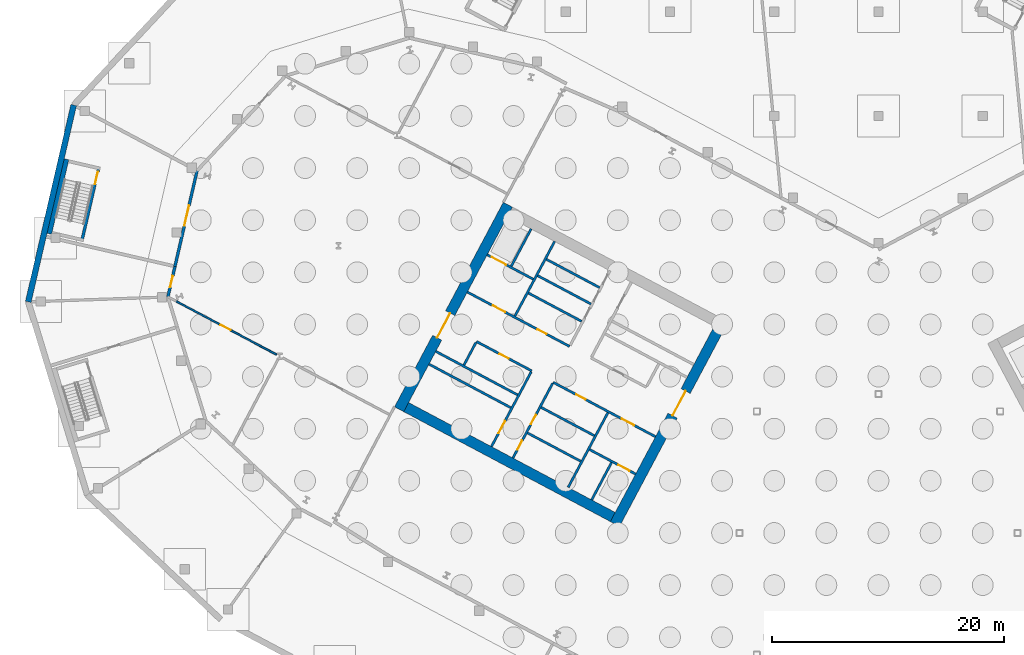
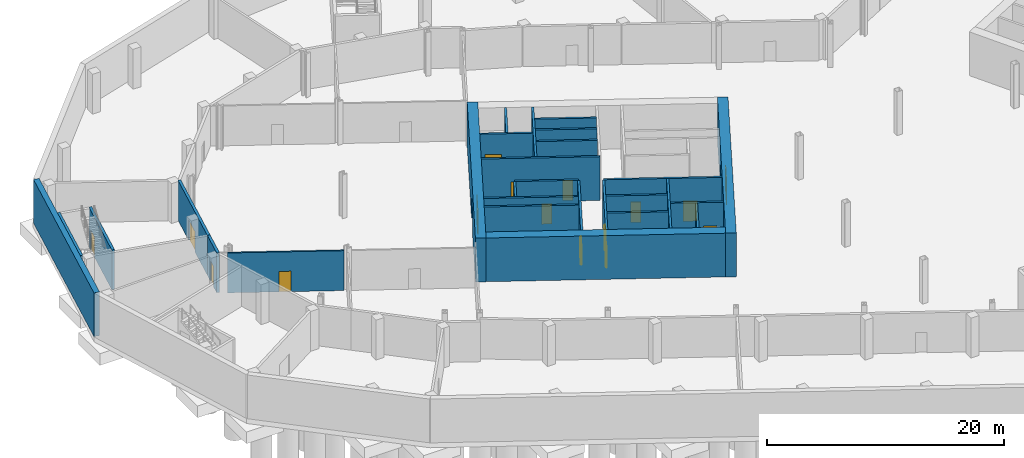
# One storey, part 10 of 29: 28 walls, 16 doors, 16 openings.
"""IFC4 building model written with IfcOpenShell, lengths in metres."""

import ifcopenshell
import ifcopenshell.guid

model = None  # the IFC model being written
_history = None  # IfcOwnerHistory: only IFC2X3 demands one
_inside = {}  # id of a spatial element -> (the spatial element, [elements in it])
_under = {}  # id of a project, library or spatial element -> (it, [spatial elements below it])
_declared = {}  # id of a project -> (the project, [libraries it declares])
_typed = {}  # id of a type object -> (the type object, [elements of that type])
_made_of = {}  # id of a material, layer set ... -> (it, [elements and type objects made of it])


def new_model(schema):
    """Start an empty IFC model of exactly this schema.

    Asked for "IFC4X3", IfcOpenShell would pick the latest addendum, in which some entities
    have other attributes; the version numbers below select the first issue.
    IFC2X3 requires an IfcOwnerHistory on every rooted entity: one is made here for all.
    """
    global model, _history
    if schema == "IFC4X3":
        model = ifcopenshell.file(schema_version=(4, 3, 0, 0))
    else:
        model = ifcopenshell.file(schema=schema)
    _inside.clear()
    _under.clear()
    _declared.clear()
    _typed.clear()
    _made_of.clear()
    _history = None
    if model.schema == "IFC2X3":
        org = make("IfcOrganization", Name="unknown")
        user = make(
            "IfcPersonAndOrganization",
            ThePerson=make("IfcPerson", FamilyName="unknown"),
            TheOrganization=org,
        )
        app = make(
            "IfcApplication",
            ApplicationDeveloper=org,
            Version="unknown",
            ApplicationFullName="unknown",
            ApplicationIdentifier="unknown",
        )
        _history = make(
            "IfcOwnerHistory",
            OwningUser=user,
            OwningApplication=app,
            ChangeAction="ADDED",
            CreationDate=0,
        )
    return model


def make(cls, **values):
    """One entity of the class cls with the attributes given. An attribute that is None is left unset."""
    return model.create_entity(
        cls, **{name: value for name, value in values.items() if value is not None}
    )


def rooted(cls, **values):
    """An entity with a GlobalId (a new one), such as an element, a storey or a relation."""
    return make(cls, GlobalId=ifcopenshell.guid.new(), OwnerHistory=_history, **values)


def si_unit(unit_type, name, prefix=None):
    """IfcSIUnit, for example si_unit("LENGTHUNIT", "METRE", prefix="MILLI")."""
    return make("IfcSIUnit", UnitType=unit_type, Prefix=prefix, Name=name)


def assignment(units):
    """IfcUnitAssignment: the units of a project."""
    return None if units is None else make("IfcUnitAssignment", Units=units)


def point(xyz):
    """IfcCartesianPoint."""
    return None if xyz is None else make("IfcCartesianPoint", Coordinates=xyz)


def direction(xyz):
    """IfcDirection."""
    return None if xyz is None else make("IfcDirection", DirectionRatios=xyz)


def frame(location, z_axis=None, x_axis=None):
    """IfcAxis2Placement3D, a coordinate frame: its origin and axes. An axis left out is left unset."""
    return make(
        "IfcAxis2Placement3D",
        Location=point(location),
        Axis=direction(z_axis),
        RefDirection=direction(x_axis),
    )


def frame_2d(location, x_axis=None):
    """IfcAxis2Placement2D, a coordinate frame in the plane: its origin and x axis."""
    return make(
        "IfcAxis2Placement2D", Location=point(location), RefDirection=direction(x_axis)
    )


def origin():
    """The frame at (0, 0, 0) with its axes left unset."""
    return frame((0.0, 0.0, 0.0))


def place(relative_to, where):
    """IfcLocalPlacement: puts the frame where relative to a parent placement (None: the world)."""
    return make(
        "IfcLocalPlacement", PlacementRelTo=relative_to, RelativePlacement=where
    )


def context(
    kind, dimensions, precision=None, world=None, true_north=None, identifier=None
):
    """IfcGeometricRepresentationContext, for example the 3D "Model" context."""
    return make(
        "IfcGeometricRepresentationContext",
        ContextIdentifier=identifier,
        ContextType=kind,
        CoordinateSpaceDimension=dimensions,
        Precision=precision,
        WorldCoordinateSystem=world,
        TrueNorth=true_north,
    )


def subcontext(parent, identifier, kind, view, scale=None):
    """IfcGeometricRepresentationSubContext, for example "Body" below "Model"."""
    return make(
        "IfcGeometricRepresentationSubContext",
        ContextIdentifier=identifier,
        ContextType=kind,
        ParentContext=parent,
        TargetScale=scale,
        TargetView=view,
    )


def project(units=None, contexts=None):
    """IfcProject with its units and contexts."""
    return rooted(
        "IfcProject",
        Name="project",
        RepresentationContexts=contexts,
        UnitsInContext=assignment(units),
    )


def spatial(cls, under=None, at=None, **own):
    """A site, building, storey or space (cls), placed at a placement, below another one or the project."""
    s = rooted(cls, ObjectPlacement=at, **own)
    if under is not None:
        _under.setdefault(under.id(), (under, []))[1].append(s)
    return s


def profile(cls, at=None, kind="AREA", **sizes):
    """A parametric profile (cls). Its sizes go by their IFC names, for example OverallWidth=200.0."""
    return make(cls, ProfileType=kind, Position=at, **sizes)


def rectangle(**sizes):
    """IfcRectangleProfileDef."""
    return profile("IfcRectangleProfileDef", **sizes)


def extrude(swept, where, along, depth):
    """IfcExtrudedAreaSolid: the profile swept, set in the frame where, extruded along a direction by depth."""
    return make(
        "IfcExtrudedAreaSolid",
        SweptArea=swept,
        Position=where,
        ExtrudedDirection=direction(along),
        Depth=depth,
    )


def shape(context_of_items, identifier, shape_type, items):
    """IfcShapeRepresentation: the items that make up one representation, for example the "Body"."""
    return make(
        "IfcShapeRepresentation",
        ContextOfItems=context_of_items,
        RepresentationIdentifier=identifier,
        RepresentationType=shape_type,
        Items=items,
    )


def material(Name=None, Category=None):
    """IfcMaterial."""
    return make("IfcMaterial", Name=Name, Category=Category)


def layer(
    of_material, thickness, ventilated=None, Name=None, Category=None, Priority=None
):
    """IfcMaterialLayer: one layer of a wall or slab, of a material (None: an air gap)."""
    return make(
        "IfcMaterialLayer",
        Material=of_material,
        LayerThickness=thickness,
        IsVentilated=ventilated,
        Name=Name,
        Category=Category,
        Priority=Priority,
    )


def layer_set(layers, Name=None):
    """IfcMaterialLayerSet."""
    return make("IfcMaterialLayerSet", MaterialLayers=layers, LayerSetName=Name)


def made_of(thing, what):
    """Note that an element or type object is made of a material, layer set ...; save() writes the relation."""
    if what is not None:
        _made_of.setdefault(what.id(), (what, []))[1].append(thing)
    return thing


def type_object(cls, material=None, **own):
    """A type object (cls), such as IfcWallType, which elements share."""
    return made_of(rooted(cls, **own), material)


def element(
    cls,
    number,
    at=None,
    inside=None,
    cuts=None,
    type_object=None,
    material=None,
    context=None,
    identifier="Body",
    shape_type=None,
    held_by="IfcProductDefinitionShape",
    body=None,
    shapes=None,
    **own,
):
    """One element of the class cls, such as IfcWall. Its Tag is "e" and its number.

    at: its placement. inside: the storey or other place that contains it. cuts: it is an
    opening in that element (IfcRelVoidsElement). A single representation is given by context,
    identifier, shape_type and body (its items); several are given by shapes. held_by: the class
    of the entity that holds the representations. save() writes the other relations.
    """
    e = rooted(cls, Tag="e%d" % number, ObjectPlacement=at, **own)
    if body is not None:
        shapes = [shape(context, identifier, shape_type, body)]
    if shapes is not None:
        e.Representation = make(held_by, Representations=shapes)
    if inside is not None:
        _inside.setdefault(inside.id(), (inside, []))[1].append(e)
    if cuts is not None:
        rooted(
            "IfcRelVoidsElement", RelatingBuildingElement=cuts, RelatedOpeningElement=e
        )
    if type_object is not None:
        _typed.setdefault(type_object.id(), (type_object, []))[1].append(e)
    return made_of(e, material)


def fill(opening, filler):
    """IfcRelFillsElement: the door or window that sits in an opening."""
    return rooted(
        "IfcRelFillsElement",
        RelatingOpeningElement=opening,
        RelatedBuildingElement=filler,
    )


def aggregate(whole, parts):
    """IfcRelAggregates: a whole, such as a stair, and the parts it consists of."""
    return rooted("IfcRelAggregates", RelatingObject=whole, RelatedObjects=parts)


def save(model, path):
    """Write the relations noted so far, then the file.

    IfcRelAggregates (storeys below a building ...), IfcRelContainedInSpatialStructure (elements
    in a storey), IfcRelDefinesByType, IfcRelAssociatesMaterial and IfcRelDeclares: one each for
    every whole, place, type object, material and project.
    """
    for whole, parts in _under.values():
        aggregate(whole, parts)
    for where, things in _inside.values():
        rooted(
            "IfcRelContainedInSpatialStructure",
            RelatedElements=things,
            RelatingStructure=where,
        )
    for kind, things in _typed.values():
        rooted("IfcRelDefinesByType", RelatedObjects=things, RelatingType=kind)
    for what, things in _made_of.values():
        rooted("IfcRelAssociatesMaterial", RelatedObjects=things, RelatingMaterial=what)
    for by, libraries in _declared.values():
        rooted("IfcRelDeclares", RelatingContext=by, RelatedDefinitions=libraries)
    model.write(path)


model = new_model("IFC4")

# Units and contexts
model_context = context("Model", 3, precision=1e-05, world=origin(), true_north=direction((0.0, 1.0)))
body_context = subcontext(model_context, "Body", "Model", "MODEL_VIEW")
ifc_project = project(units=[si_unit("LENGTHUNIT", "METRE"), si_unit("AREAUNIT", "SQUARE_METRE"), si_unit("VOLUMEUNIT", "CUBIC_METRE"), si_unit("PLANEANGLEUNIT", "RADIAN"), si_unit("MASSUNIT", "GRAM", prefix="KILO")], contexts=[model_context])

# Site, building, storey
site_placement = place(None, origin())
site = spatial("IfcSite", under=ifc_project, at=site_placement, CompositionType="ELEMENT")
building_placement = place(site_placement, origin())
building = spatial("IfcBuilding", under=site, at=building_placement, Name="Cormorant Relay Tower", CompositionType="ELEMENT")
storey_placement = place(building_placement, frame((0.0, 0.0, -9.0)))
storey = spatial("IfcBuildingStorey", under=building, at=storey_placement, Name="B2", CompositionType="ELEMENT", Elevation=-9.0)

# Walls
ifc_material_1 = material(Name="Concrete 40 MPa", Category="concrete")
ifc_layer_1 = layer(ifc_material_1, 0.199951171875)
ifc_layer_set_1 = layer_set([ifc_layer_1], Name="Core internal wall 200")
wall_type_1 = type_object("IfcWallType", Name="Core internal wall 200", PredefinedType="SOLIDWALL", material=ifc_layer_set_1)
for number, where, z_axis, x_axis, name in (
    (1, (-24.073974609375, 21.181396484375, 0.0), (0.0, 0.0, 1.0), (-0.882953967957, 0.469459572775, 0.0), "B2 core A shaft and room wall"),
    (2, (-24.824951171875, 19.7685546875, 0.0), (0.0, 0.0, 1.0), (-0.882934506056, 0.469496174655, 0.0), "B2 core A shaft and room wall"),
    (3, (-25.701904296875, 6.19091796875, 0.0), (0.0, 0.0, 1.0), (-0.882934506056, 0.469496174655, 0.0), "B2 core A shaft and room wall"),
):
    element("IfcWall", number, at=place(storey_placement, frame(where, z_axis=z_axis, x_axis=x_axis)), inside=storey, type_object=wall_type_1, Name=name, PredefinedType="SOLIDWALL", context=body_context, shape_type="SweptSolid", body=[
        extrude(rectangle(XDim=5.199951171875, YDim=0.199951171875, at=frame_2d((2.60009765625, 0.0))), origin(), (0.0, 0.0, 1.0), 4.5),
    ])
ifc_material_2 = material(Name="Concrete 50 MPa", Category="concrete")
ifc_layer_2 = layer(ifc_material_2, 0.199951171875)
ifc_layer_set_2 = layer_set([ifc_layer_2], Name="Core shaft wall 200")
wall_type_2 = type_object("IfcWallType", Name="Core shaft wall 200", PredefinedType="SHEAR", material=ifc_layer_set_2)
wall_1_placement = place(storey_placement, frame((-23.04296875, 6.07958984375, 0.0), z_axis=(0.0, 0.0, 1.0), x_axis=(-0.469494272526, -0.882935517501, 0.0)))
element("IfcWall", 4, at=wall_1_placement, inside=storey, type_object=wall_type_2, Name="B2 core A shaft wall", PredefinedType="SHEAR", context=body_context, shape_type="SweptSolid", body=[
    extrude(rectangle(XDim=3.64990234375, YDim=0.199951171875, at=frame_2d((1.824951171875, 0.0))), origin(), (0.0, 0.0, 1.0), 4.5),
])
wall_2_placement = place(storey_placement, frame((-23.360107421875, 10.38232421875, 0.0), z_axis=(0.0, 0.0, 1.0), x_axis=(-0.469480409012, -0.88294288918, 0.0)))
element("IfcWall", 5, at=wall_2_placement, inside=storey, type_object=wall_type_2, Name="B2 core A shaft wall", PredefinedType="SHEAR", context=body_context, shape_type="SweptSolid", body=[
    extrude(rectangle(XDim=7.300048828125, YDim=0.199951171875, at=frame_2d((3.64990234375, 0.0))), origin(), (0.0, 0.0, 1.0), 4.5),
])

# Wall, openings, doors
wall_3_placement = place(storey_placement, frame((-28.128173828125, 12.91748046875, 0.0), z_axis=(0.0, 0.0, 1.0), x_axis=(-0.469454336211, -0.882956752176, 0.0)))
wall_3 = element("IfcWall", 6, at=wall_3_placement, inside=storey, type_object=wall_type_2, Name="B2 core A shaft wall", PredefinedType="SHEAR", context=body_context, shape_type="SweptSolid", body=[
    extrude(rectangle(XDim=7.300048828125, YDim=0.199951171875, at=frame_2d((3.64990234375, 0.0))), origin(), (0.0, 0.0, 1.0), 4.5),
])
opening_1_placement = place(wall_3_placement, frame((3.10009765625, 0.0, 0.0)))
opening_1 = element("IfcOpeningElement", 7, at=opening_1_placement, cuts=wall_3, Name="Opening CDD-005", PredefinedType="OPENING", context=body_context, shape_type="SweptSolid", body=[
    extrude(rectangle(XDim=0.89990234375, YDim=2.10009765625, at=frame_2d((0.449951171875, 1.050048828125))), frame((0.0, 0.10986328125, 0.0), z_axis=(0.0, -1.0, 0.0), x_axis=(1.0, 0.0, 0.0)), (0.0, 0.0, 1.0), 0.219970703125),
])
opening_2_placement = place(wall_3_placement, frame((5.60009765625, 0.0, 0.0)))
opening_2 = element("IfcOpeningElement", 8, at=opening_2_placement, cuts=wall_3, Name="Opening CDD-006", PredefinedType="OPENING", context=body_context, shape_type="SweptSolid", body=[
    extrude(rectangle(XDim=0.89990234375, YDim=2.10009765625, at=frame_2d((0.449951171875, 1.050048828125))), frame((0.0, 0.10986328125, 0.0), z_axis=(0.0, -1.0, 0.0), x_axis=(1.0, 0.0, 0.0)), (0.0, 0.0, 1.0), 0.219970703125),
])
ifc_material_3 = material(Name="Steel fire door", Category="steel")
door_type_1 = type_object("IfcDoorType", Name="Core room door 900x2100", OperationType="SINGLE_SWING_LEFT", PredefinedType="DOOR", material=ifc_material_3)
door_1_placement = place(opening_1_placement, origin())
door_1 = element("IfcDoor", 9, at=door_1_placement, inside=storey, type_object=door_type_1, Name="Core room door 900x2100", OperationType="SINGLE_SWING_LEFT", OverallHeight=2.10009765625, OverallWidth=0.89990234375, PredefinedType="DOOR", context=body_context, shape_type="SweptSolid", body=[
    extrude(rectangle(XDim=0.89990234375, YDim=2.10009765625, at=frame_2d((0.449951171875, 1.050048828125))), frame((0.0, 0.02490234375, 0.0), z_axis=(0.0, -1.0, 0.0), x_axis=(1.0, 0.0, 0.0)), (0.0, 0.0, 1.0), 0.050048828125),
])
fill(opening_1, door_1)
door_2_placement = place(opening_2_placement, origin())
door_2 = element("IfcDoor", 10, at=door_2_placement, inside=storey, type_object=door_type_1, Name="Core room door 900x2100", OperationType="SINGLE_SWING_LEFT", OverallHeight=2.10009765625, OverallWidth=0.89990234375, PredefinedType="DOOR", context=body_context, shape_type="SweptSolid", body=[
    extrude(rectangle(XDim=0.89990234375, YDim=2.10009765625, at=frame_2d((0.449951171875, 1.050048828125))), frame((0.0, 0.02490234375, 0.0), z_axis=(0.0, -1.0, 0.0), x_axis=(1.0, 0.0, 0.0)), (0.0, 0.0, 1.0), 0.050048828125),
])
fill(opening_2, door_2)

# Wall, opening, door
wall_4_placement = place(storey_placement, frame((-29.982421875, 13.9033203125, 0.0), z_axis=(0.0, 0.0, 1.0), x_axis=(-0.469454336211, -0.882956752176, 0.0)))
wall_4 = element("IfcWall", 11, at=wall_4_placement, inside=storey, type_object=wall_type_2, Name="B2 core A shaft wall", PredefinedType="SHEAR", context=body_context, shape_type="SweptSolid", body=[
    extrude(rectangle(XDim=7.300048828125, YDim=0.199951171875, at=frame_2d((3.64990234375, 0.0))), origin(), (0.0, 0.0, 1.0), 4.5),
])
opening_3_placement = place(wall_4_placement, frame((4.800048828125, 0.0, 0.0)))
opening_3 = element("IfcOpeningElement", 12, at=opening_3_placement, cuts=wall_4, Name="Opening CDB-002", PredefinedType="OPENING", context=body_context, shape_type="SweptSolid", body=[
    extrude(rectangle(XDim=1.199951171875, YDim=2.10009765625, at=frame_2d((0.60009765625, 1.050048828125))), frame((0.0, 0.10986328125, 0.0), z_axis=(0.0, -1.0, 0.0), x_axis=(1.0, 0.0, 0.0)), (0.0, 0.0, 1.0), 0.219970703125),
])
ifc_material_4 = material(Name="Steel fire door", Category="steel")
door_type_2 = type_object("IfcDoorType", Name="Core stair door 1200x2100", OperationType="SINGLE_SWING_LEFT", PredefinedType="DOOR", material=ifc_material_4)
door_3_placement = place(opening_3_placement, frame((1.199951171875, 0.0, 0.0), z_axis=(0.0, 0.0, 1.0), x_axis=(-1.0, 0.0, 0.0)))
door_3 = element("IfcDoor", 13, at=door_3_placement, inside=storey, type_object=door_type_2, Name="Core stair door 1200x2100", OperationType="SINGLE_SWING_RIGHT", OverallHeight=2.10009765625, OverallWidth=1.199951171875, PredefinedType="DOOR", context=body_context, shape_type="SweptSolid", body=[
    extrude(rectangle(XDim=1.199951171875, YDim=2.10009765625, at=frame_2d((0.60009765625, 1.050048828125))), frame((0.0, 0.02490234375, 0.0), z_axis=(0.0, -1.0, 0.0), x_axis=(1.0, 0.0, 0.0)), (0.0, 0.0, 1.0), 0.050048828125),
])
fill(opening_3, door_3)

# Walls
wall_5_placement = place(storey_placement, frame((-27.955322265625, 25.170654296875, 0.0), z_axis=(0.0, 0.0, 1.0), x_axis=(-0.469480409012, -0.88294288918, 0.0)))
element("IfcWall", 14, at=wall_5_placement, inside=storey, type_object=wall_type_2, Name="B2 core A shaft wall", PredefinedType="SHEAR", context=body_context, shape_type="SweptSolid", body=[
    extrude(rectangle(XDim=7.300048828125, YDim=0.199951171875, at=frame_2d((3.64990234375, 0.0))), origin(), (0.0, 0.0, 1.0), 4.5),
])
wall_6_placement = place(storey_placement, frame((-34.750244140625, 16.4384765625, 0.0), z_axis=(0.0, 0.0, 1.0), x_axis=(-0.469401318492, -0.882984938828, 0.0)))
element("IfcWall", 15, at=wall_6_placement, inside=storey, type_object=wall_type_2, Name="B2 core A shaft wall", PredefinedType="SHEAR", context=body_context, shape_type="SweptSolid", body=[
    extrude(rectangle(XDim=2.199951171875, YDim=0.199951171875, at=frame_2d((1.10009765625, 0.0))), origin(), (0.0, 0.0, 1.0), 4.5),
])
wall_7_placement = place(storey_placement, frame((-29.986083984375, 26.250244140625, 0.0), z_axis=(0.0, 0.0, 1.0), x_axis=(-0.469494272526, -0.882935517501, 0.0)))
element("IfcWall", 16, at=wall_7_placement, inside=storey, type_object=wall_type_2, Name="B2 core A shaft wall", PredefinedType="SHEAR", context=body_context, shape_type="SweptSolid", body=[
    extrude(rectangle(XDim=3.64990234375, YDim=0.199951171875, at=frame_2d((1.824951171875, 0.0))), origin(), (0.0, 0.0, 1.0), 4.5),
])

# Wall, opening, door
wall_8_placement = place(storey_placement, frame((-29.80419921875, 21.906494140625, 0.0), z_axis=(0.0, 0.0, 1.0), x_axis=(-0.882960433586, 0.469447412093, 0.0)))
wall_8 = element("IfcWall", 17, at=wall_8_placement, inside=storey, type_object=wall_type_2, Name="B2 core A shaft wall", PredefinedType="SHEAR", context=body_context, shape_type="SweptSolid", body=[
    extrude(rectangle(XDim=4.5, YDim=0.199951171875, at=frame_2d((2.25, 0.0))), origin(), (0.0, 0.0, 1.0), 4.5),
])
opening_4_placement = place(wall_8_placement, frame((2.64990234375, 0.0, 0.0)))
opening_4 = element("IfcOpeningElement", 18, at=opening_4_placement, cuts=wall_8, Name="Opening LD3-001", PredefinedType="OPENING", context=body_context, shape_type="SweptSolid", body=[
    extrude(rectangle(XDim=1.39990234375, YDim=2.39990234375, at=frame_2d((0.699951171875, 1.199951171875))), frame((0.0, 0.10986328125, 0.0), z_axis=(0.0, -1.0, 0.0), x_axis=(1.0, 0.0, 0.0)), (0.0, 0.0, 1.0), 0.219970703125),
])
ifc_material_5 = material(Name="Stainless steel 316", Category="steel")
door_type_3 = type_object("IfcDoorType", Name="Lift landing door 1400x2400", OperationType="DOUBLE_DOOR_SLIDING", PredefinedType="DOOR", material=ifc_material_5)
door_4_placement = place(opening_4_placement, origin())
door_4 = element("IfcDoor", 19, at=door_4_placement, inside=storey, type_object=door_type_3, Name="SV1 landing door", OperationType="DOUBLE_DOOR_SLIDING", OverallHeight=2.39990234375, OverallWidth=1.39990234375, PredefinedType="DOOR", context=body_context, shape_type="SweptSolid", body=[
    extrude(rectangle(XDim=1.39990234375, YDim=2.39990234375, at=frame_2d((0.699951171875, 1.199951171875))), frame((0.0, 0.02490234375, 0.0), z_axis=(0.0, -1.0, 0.0), x_axis=(1.0, 0.0, 0.0)), (0.0, 0.0, 1.0), 0.050048828125),
])
fill(opening_4, door_4)

# Wall
wall_9_placement = place(storey_placement, frame((-25.623046875, 18.267578125, 0.0), z_axis=(0.0, 0.0, 1.0), x_axis=(-0.882953967957, 0.469459572775, 0.0)))
element("IfcWall", 20, at=wall_9_placement, inside=storey, type_object=wall_type_2, Name="B2 core A shaft wall", PredefinedType="SHEAR", context=body_context, shape_type="SweptSolid", body=[
    extrude(rectangle(XDim=5.199951171875, YDim=0.199951171875, at=frame_2d((2.60009765625, 0.0))), origin(), (0.0, 0.0, 1.0), 4.5),
])

# Wall, openings, doors
wall_10_placement = place(storey_placement, frame((-26.66162109375, 16.1015625, 0.0), z_axis=(0.0, 0.0, 1.0), x_axis=(-0.882940221191, 0.469485426614, 0.0)))
wall_10 = element("IfcWall", 21, at=wall_10_placement, inside=storey, type_object=wall_type_2, Name="B2 core A shaft wall", PredefinedType="SHEAR", context=body_context, shape_type="SweptSolid", body=[
    extrude(rectangle(XDim=10.0, YDim=0.199951171875, at=frame_2d((5.0, 0.0))), origin(), (0.0, 0.0, 1.0), 4.5),
])
opening_5_placement = place(wall_10_placement, frame((6.300048828125, 0.0, 0.0)))
opening_5 = element("IfcOpeningElement", 22, at=opening_5_placement, cuts=wall_10, Name="Opening CDC-002", PredefinedType="OPENING", context=body_context, shape_type="SweptSolid", body=[
    extrude(rectangle(XDim=1.199951171875, YDim=2.10009765625, at=frame_2d((0.60009765625, 1.050048828125))), frame((0.0, 0.10986328125, 0.0), z_axis=(0.0, -1.0, 0.0), x_axis=(1.0, 0.0, 0.0)), (0.0, 0.0, 1.0), 0.219970703125),
])
opening_6_placement = place(wall_10_placement, frame((2.25, 0.0, 0.0)))
opening_6 = element("IfcOpeningElement", 23, at=opening_6_placement, cuts=wall_10, Name="Opening CDD-004", PredefinedType="OPENING", context=body_context, shape_type="SweptSolid", body=[
    extrude(rectangle(XDim=0.89990234375, YDim=2.10009765625, at=frame_2d((0.449951171875, 1.050048828125))), frame((0.0, 0.10986328125, 0.0), z_axis=(0.0, -1.0, 0.0), x_axis=(1.0, 0.0, 0.0)), (0.0, 0.0, 1.0), 0.219970703125),
])
ifc_material_6 = material(Name="Steel fire door", Category="steel")
door_type_4 = type_object("IfcDoorType", Name="Core lobby door 1200x2100", OperationType="SINGLE_SWING_LEFT", PredefinedType="DOOR", material=ifc_material_6)
door_5_placement = place(opening_5_placement, frame((1.199951171875, 0.0, 0.0), z_axis=(0.0, 0.0, 1.0), x_axis=(-1.0, 0.0, 0.0)))
door_5 = element("IfcDoor", 24, at=door_5_placement, inside=storey, type_object=door_type_4, Name="Core lobby door 1200x2100", OperationType="SINGLE_SWING_RIGHT", OverallHeight=2.10009765625, OverallWidth=1.199951171875, PredefinedType="DOOR", context=body_context, shape_type="SweptSolid", body=[
    extrude(rectangle(XDim=1.199951171875, YDim=2.10009765625, at=frame_2d((0.60009765625, 1.050048828125))), frame((0.0, 0.02490234375, 0.0), z_axis=(0.0, -1.0, 0.0), x_axis=(1.0, 0.0, 0.0)), (0.0, 0.0, 1.0), 0.050048828125),
])
fill(opening_5, door_5)
door_6_placement = place(opening_6_placement, frame((0.89990234375, 0.0, 0.0), z_axis=(0.0, 0.0, 1.0), x_axis=(-1.0, 0.0, 0.0)))
door_6 = element("IfcDoor", 25, at=door_6_placement, inside=storey, type_object=door_type_1, Name="Core room door 900x2100", OperationType="SINGLE_SWING_RIGHT", OverallHeight=2.10009765625, OverallWidth=0.89990234375, PredefinedType="DOOR", context=body_context, shape_type="SweptSolid", body=[
    extrude(rectangle(XDim=0.89990234375, YDim=2.10009765625, at=frame_2d((0.449951171875, 1.050048828125))), frame((0.0, 0.02490234375, 0.0), z_axis=(0.0, -1.0, 0.0), x_axis=(1.0, 0.0, 0.0)), (0.0, 0.0, 1.0), 0.050048828125),
])
fill(opening_6, door_6)

wall_11_placement = place(storey_placement, frame((-19.251708984375, 8.31103515625, 0.0), z_axis=(0.0, 0.0, 1.0), x_axis=(-0.882955722218, 0.469456273365, 0.0)))
wall_11 = element("IfcWall", 26, at=wall_11_placement, inside=storey, type_object=wall_type_2, Name="B2 core A shaft wall", PredefinedType="SHEAR", context=body_context, shape_type="SweptSolid", body=[
    extrude(rectangle(XDim=10.0, YDim=0.199951171875, at=frame_2d((5.0, 0.0))), origin(), (0.0, 0.0, 1.0), 4.5),
])
opening_7_placement = place(wall_11_placement, frame((2.10009765625, 0.0, 0.0)))
opening_7 = element("IfcOpeningElement", 27, at=opening_7_placement, cuts=wall_11, Name="Opening CDC-001", PredefinedType="OPENING", context=body_context, shape_type="SweptSolid", body=[
    extrude(rectangle(XDim=1.199951171875, YDim=2.10009765625, at=frame_2d((0.60009765625, 1.050048828125))), frame((0.0, 0.10986328125, 0.0), z_axis=(0.0, -1.0, 0.0), x_axis=(1.0, 0.0, 0.0)), (0.0, 0.0, 1.0), 0.219970703125),
])
opening_8_placement = place(wall_11_placement, frame((6.85009765625, 0.0, 0.0)))
opening_8 = element("IfcOpeningElement", 28, at=opening_8_placement, cuts=wall_11, Name="Opening CDD-001", PredefinedType="OPENING", context=body_context, shape_type="SweptSolid", body=[
    extrude(rectangle(XDim=0.89990234375, YDim=2.10009765625, at=frame_2d((0.449951171875, 1.050048828125))), frame((0.0, 0.10986328125, 0.0), z_axis=(0.0, -1.0, 0.0), x_axis=(1.0, 0.0, 0.0)), (0.0, 0.0, 1.0), 0.219970703125),
])
door_7_placement = place(opening_7_placement, origin())
door_7 = element("IfcDoor", 29, at=door_7_placement, inside=storey, type_object=door_type_4, Name="Core lobby door 1200x2100", OperationType="SINGLE_SWING_RIGHT", OverallHeight=2.10009765625, OverallWidth=1.199951171875, PredefinedType="DOOR", context=body_context, shape_type="SweptSolid", body=[
    extrude(rectangle(XDim=1.199951171875, YDim=2.10009765625, at=frame_2d((0.60009765625, 1.050048828125))), frame((0.0, 0.02490234375, 0.0), z_axis=(0.0, -1.0, 0.0), x_axis=(1.0, 0.0, 0.0)), (0.0, 0.0, 1.0), 0.050048828125),
])
fill(opening_7, door_7)
door_8_placement = place(opening_8_placement, origin())
door_8 = element("IfcDoor", 30, at=door_8_placement, inside=storey, type_object=door_type_1, Name="Core room door 900x2100", OperationType="SINGLE_SWING_LEFT", OverallHeight=2.10009765625, OverallWidth=0.89990234375, PredefinedType="DOOR", context=body_context, shape_type="SweptSolid", body=[
    extrude(rectangle(XDim=0.89990234375, YDim=2.10009765625, at=frame_2d((0.449951171875, 1.050048828125))), frame((0.0, 0.02490234375, 0.0), z_axis=(0.0, -1.0, 0.0), x_axis=(1.0, 0.0, 0.0)), (0.0, 0.0, 1.0), 0.050048828125),
])
fill(opening_8, door_8)

# Wall, opening, door
wall_12_placement = place(storey_placement, frame((-29.935302734375, 13.991455078125, 0.0), z_axis=(0.0, 0.0, 1.0), x_axis=(-0.882952937579, 0.469461510692, 0.0)))
wall_12 = element("IfcWall", 31, at=wall_12_placement, inside=storey, type_object=wall_type_2, Name="B2 core A shaft wall", PredefinedType="SHEAR", context=body_context, shape_type="SweptSolid", body=[
    extrude(rectangle(XDim=5.400146484375, YDim=0.199951171875, at=frame_2d((2.7001953125, 0.0))), origin(), (0.0, 0.0, 1.0), 4.5),
])
opening_9_placement = place(wall_12_placement, frame((2.25, 0.0, 0.0)))
opening_9 = element("IfcOpeningElement", 32, at=opening_9_placement, cuts=wall_12, Name="Opening CDD-002", PredefinedType="OPENING", context=body_context, shape_type="SweptSolid", body=[
    extrude(rectangle(XDim=0.89990234375, YDim=2.10009765625, at=frame_2d((0.449951171875, 1.050048828125))), frame((0.0, 0.10986328125, 0.0), z_axis=(0.0, -1.0, 0.0), x_axis=(1.0, 0.0, 0.0)), (0.0, 0.0, 1.0), 0.219970703125),
])
door_9_placement = place(opening_9_placement, origin())
door_9 = element("IfcDoor", 33, at=door_9_placement, inside=storey, type_object=door_type_1, Name="Core room door 900x2100", OperationType="SINGLE_SWING_LEFT", OverallHeight=2.10009765625, OverallWidth=0.89990234375, PredefinedType="DOOR", context=body_context, shape_type="SweptSolid", body=[
    extrude(rectangle(XDim=0.89990234375, YDim=2.10009765625, at=frame_2d((0.449951171875, 1.050048828125))), frame((0.0, 0.02490234375, 0.0), z_axis=(0.0, -1.0, 0.0), x_axis=(1.0, 0.0, 0.0)), (0.0, 0.0, 1.0), 0.050048828125),
])
fill(opening_9, door_9)

# Walls
wall_13_placement = place(storey_placement, frame((-24.5283203125, 8.3984375, 0.0), z_axis=(0.0, 0.0, 1.0), x_axis=(-0.882953967957, 0.469459572775, 0.0)))
element("IfcWall", 34, at=wall_13_placement, inside=storey, type_object=wall_type_2, Name="B2 core A shaft wall", PredefinedType="SHEAR", context=body_context, shape_type="SweptSolid", body=[
    extrude(rectangle(XDim=5.199951171875, YDim=0.199951171875, at=frame_2d((2.60009765625, 0.0))), origin(), (0.0, 0.0, 1.0), 4.5),
])
wall_14_placement = place(storey_placement, frame((-31.150390625, 11.91943359375, 0.0), z_axis=(0.0, 0.0, 1.0), x_axis=(-0.882940221191, 0.469485426614, 0.0)))
element("IfcWall", 35, at=wall_14_placement, inside=storey, type_object=wall_type_2, Name="B2 core A shaft wall", PredefinedType="SHEAR", context=body_context, shape_type="SweptSolid", body=[
    extrude(rectangle(XDim=8.0, YDim=0.199951171875, at=frame_2d((4.0, 0.0))), origin(), (0.0, 0.0, 1.0), 4.5),
])

# Wall, opening, door
wall_15_placement = place(storey_placement, frame((-20.96533203125, 5.088134765625, 0.0), z_axis=(0.0, 0.0, 1.0), x_axis=(-0.882925986334, 0.469512196493, 0.0)))
wall_15 = element("IfcWall", 36, at=wall_15_placement, inside=storey, type_object=wall_type_2, Name="B2 core A shaft wall", PredefinedType="SHEAR", context=body_context, shape_type="SweptSolid", body=[
    extrude(rectangle(XDim=4.5, YDim=0.199951171875, at=frame_2d((2.25, 0.0))), origin(), (0.0, 0.0, 1.0), 4.5),
])
opening_10_placement = place(wall_15_placement, frame((0.60009765625, 0.0, 0.0)))
opening_10 = element("IfcOpeningElement", 37, at=opening_10_placement, cuts=wall_15, Name="Opening LD1-001", PredefinedType="OPENING", context=body_context, shape_type="SweptSolid", body=[
    extrude(rectangle(XDim=1.10009765625, YDim=2.10009765625, at=frame_2d((0.550048828125, 1.050048828125))), frame((0.0, 0.10986328125, 0.0), z_axis=(0.0, -1.0, 0.0), x_axis=(1.0, 0.0, 0.0)), (0.0, 0.0, 1.0), 0.219970703125),
])
ifc_material_7 = material(Name="Stainless steel 316", Category="steel")
door_type_5 = type_object("IfcDoorType", Name="Lift landing door 1100x2100", OperationType="DOUBLE_DOOR_SLIDING", PredefinedType="DOOR", material=ifc_material_7)
door_10_placement = place(opening_10_placement, origin())
door_10 = element("IfcDoor", 38, at=door_10_placement, inside=storey, type_object=door_type_5, Name="FF1 landing door", OperationType="DOUBLE_DOOR_SLIDING", OverallHeight=2.10009765625, OverallWidth=1.10009765625, PredefinedType="DOOR", context=body_context, shape_type="SweptSolid", body=[
    extrude(rectangle(XDim=1.10009765625, YDim=2.10009765625, at=frame_2d((0.550048828125, 1.050048828125))), frame((0.0, 0.02490234375, 0.0), z_axis=(0.0, -1.0, 0.0), x_axis=(1.0, 0.0, 0.0)), (0.0, 0.0, 1.0), 0.050048828125),
])
fill(opening_10, door_10)

# Wall
wall_16_placement = place(storey_placement, frame((-31.7373046875, 10.815673828125, 0.0), z_axis=(0.0, 0.0, 1.0), x_axis=(-0.882940221191, 0.469485426614, 0.0)))
element("IfcWall", 39, at=wall_16_placement, inside=storey, type_object=wall_type_2, Name="B2 core A shaft wall", PredefinedType="SHEAR", context=body_context, shape_type="SweptSolid", body=[
    extrude(rectangle(XDim=8.0, YDim=0.199951171875, at=frame_2d((4.0, 0.0))), origin(), (0.0, 0.0, 1.0), 4.5),
])

# Wall, opening, door
ifc_material_8 = material(Name="Concrete 70 MPa", Category="concrete")
ifc_layer_3 = layer(ifc_material_8, 0.89990234375)
ifc_layer_set_3 = layer_set([ifc_layer_3], Name="Core wall 900")
wall_type_3 = type_object("IfcWallType", Name="Core wall 900", PredefinedType="SHEAR", material=ifc_layer_set_3)
wall_17_placement = place(storey_placement, frame((-13.361572265625, 18.43017578125, 0.0), z_axis=(0.0, 0.0, 1.0), x_axis=(-0.46947084998, -0.882947971864, 0.0)))
wall_17 = element("IfcWall", 40, at=wall_17_placement, inside=storey, type_object=wall_type_3, Name="B2 core A wall", PredefinedType="SHEAR", context=body_context, shape_type="SweptSolid", body=[
    extrude(rectangle(XDim=20.0, YDim=0.89990234375, at=frame_2d((10.0, 0.0))), origin(), (0.0, 0.0, 1.0), 4.5),
])
opening_11_placement = place(wall_17_placement, frame((7.0, 0.0, 0.0)))
opening_11 = element("IfcOpeningElement", 41, at=opening_11_placement, cuts=wall_17, Name="Opening CDA-001", PredefinedType="OPENING", context=body_context, shape_type="SweptSolid", body=[
    extrude(rectangle(XDim=2.39990234375, YDim=2.39990234375, at=frame_2d((1.199951171875, 1.199951171875))), frame((0.0, 0.4599609375, 0.0), z_axis=(0.0, -1.0, 0.0), x_axis=(1.0, 0.0, 0.0)), (0.0, 0.0, 1.0), 0.919921875),
])
ifc_material_9 = material(Name="Steel fire door", Category="steel")
door_type_6 = type_object("IfcDoorType", Name="Core lobby door 2400x2400", OperationType="DOUBLE_DOOR_SINGLE_SWING", PredefinedType="DOOR", material=ifc_material_9)
door_11_placement = place(opening_11_placement, frame((2.39990234375, 0.0, 0.0), z_axis=(0.0, 0.0, 1.0), x_axis=(-1.0, 0.0, 0.0)))
door_11 = element("IfcDoor", 42, at=door_11_placement, inside=storey, type_object=door_type_6, Name="Core lobby door 2400x2400", OperationType="DOUBLE_DOOR_SINGLE_SWING", OverallHeight=2.39990234375, OverallWidth=2.39990234375, PredefinedType="DOOR", context=body_context, shape_type="SweptSolid", body=[
    extrude(rectangle(XDim=2.39990234375, YDim=2.39990234375, at=frame_2d((1.199951171875, 1.199951171875))), frame((0.0, 0.02490234375, 0.0), z_axis=(0.0, -1.0, 0.0), x_axis=(1.0, 0.0, 0.0)), (0.0, 0.0, 1.0), 0.050048828125),
])
fill(opening_11, door_11)

wall_18_placement = place(storey_placement, frame((-31.99169921875, 28.3359375, 0.0), z_axis=(0.0, 0.0, 1.0), x_axis=(-0.46947084998, -0.882947971864, 0.0)))
wall_18 = element("IfcWall", 43, at=wall_18_placement, inside=storey, type_object=wall_type_3, Name="B2 core A wall", PredefinedType="SHEAR", context=body_context, shape_type="SweptSolid", body=[
    extrude(rectangle(XDim=20.0, YDim=0.89990234375, at=frame_2d((10.0, 0.0))), origin(), (0.0, 0.0, 1.0), 4.5),
])
opening_12_placement = place(wall_18_placement, frame((10.60009765625, 0.0, 0.0)))
opening_12 = element("IfcOpeningElement", 44, at=opening_12_placement, cuts=wall_18, Name="Opening CDA-002", PredefinedType="OPENING", context=body_context, shape_type="SweptSolid", body=[
    extrude(rectangle(XDim=2.39990234375, YDim=2.39990234375, at=frame_2d((1.199951171875, 1.199951171875))), frame((0.0, 0.4599609375, 0.0), z_axis=(0.0, -1.0, 0.0), x_axis=(1.0, 0.0, 0.0)), (0.0, 0.0, 1.0), 0.919921875),
])
door_12_placement = place(opening_12_placement, origin())
door_12 = element("IfcDoor", 45, at=door_12_placement, inside=storey, type_object=door_type_6, Name="Core lobby door 2400x2400", OperationType="DOUBLE_DOOR_SINGLE_SWING", OverallHeight=2.39990234375, OverallWidth=2.39990234375, PredefinedType="DOOR", context=body_context, shape_type="SweptSolid", body=[
    extrude(rectangle(XDim=2.39990234375, YDim=2.39990234375, at=frame_2d((1.199951171875, 1.199951171875))), frame((0.0, 0.02490234375, 0.0), z_axis=(0.0, -1.0, 0.0), x_axis=(1.0, 0.0, 0.0)), (0.0, 0.0, 1.0), 0.050048828125),
])
fill(opening_12, door_12)

# Wall
wall_19_placement = place(storey_placement, frame((-22.93701171875, 1.3798828125, 0.0), z_axis=(0.0, 0.0, 1.0), x_axis=(-0.88295276571, 0.46946183394, 0.0)))
element("IfcWall", 46, at=wall_19_placement, inside=storey, type_object=wall_type_3, Name="B2 core A wall", PredefinedType="SHEAR", context=body_context, shape_type="SweptSolid", body=[
    extrude(rectangle(XDim=20.199951171875, YDim=0.89990234375, at=frame_2d((10.10009765625, 0.0))), origin(), (0.0, 0.0, 1.0), 4.5),
])

# Wall, opening, door
ifc_material_10 = material(Name="Concrete masonry 20 MPa", Category="masonry")
ifc_layer_4 = layer(ifc_material_10, 0.25)
ifc_layer_set_4 = layer_set([ifc_layer_4], Name="Fire separation wall 250")
wall_type_4 = type_object("IfcWallType", Name="Fire separation wall 250", PredefinedType="SOLIDWALL", material=ifc_layer_set_4)
wall_20_placement = place(storey_placement, frame((-60.7314453125, 23.010498046875, 0.0), z_axis=(0.0, 0.0, 1.0), x_axis=(0.225176723851, 0.974317937347, 0.0)))
wall_20 = element("IfcWall", 47, at=wall_20_placement, inside=storey, type_object=wall_type_4, Name="Partition", PredefinedType="SOLIDWALL", context=body_context, shape_type="SweptSolid", body=[
    extrude(rectangle(XDim=8.4873046875, YDim=0.25, at=frame_2d((4.24365234375, 0.0))), origin(), (0.0, 0.0, 1.0), 4.10009765625),
])
opening_13_placement = place(wall_20_placement, frame((3.593994140625, 0.0, 0.0)))
opening_13 = element("IfcOpeningElement", 48, at=opening_13_placement, cuts=wall_20, Name="Opening PD3-003", PredefinedType="OPENING", context=body_context, shape_type="SweptSolid", body=[
    extrude(rectangle(XDim=1.800048828125, YDim=2.10009765625, at=frame_2d((0.89990234375, 1.050048828125))), frame((0.0, 0.135009765625, 0.0), z_axis=(0.0, -1.0, 0.0), x_axis=(1.0, 0.0, 0.0)), (0.0, 0.0, 1.0), 0.27001953125),
])
ifc_material_11 = material(Name="Steel door leaf", Category="steel")
door_type_7 = type_object("IfcDoorType", Name="Door double 1800", OperationType="DOUBLE_DOOR_SINGLE_SWING", PredefinedType="DOOR", material=ifc_material_11)
door_13_placement = place(opening_13_placement, origin())
door_13 = element("IfcDoor", 49, at=door_13_placement, inside=storey, type_object=door_type_7, Name="Door", OperationType="DOUBLE_DOOR_SINGLE_SWING", OverallHeight=2.10009765625, OverallWidth=1.800048828125, PredefinedType="DOOR", context=body_context, shape_type="SweptSolid", body=[
    extrude(rectangle(XDim=1.800048828125, YDim=2.10009765625, at=frame_2d((0.89990234375, 1.050048828125))), frame((0.0, 0.02490234375, 0.0), z_axis=(0.0, -1.0, 0.0), x_axis=(1.0, 0.0, 0.0)), (0.0, 0.0, 1.0), 0.050048828125),
])
fill(opening_13, door_13)

wall_21_placement = place(storey_placement, frame((-61.338134765625, 20.38232421875, 0.0), z_axis=(0.0, 0.0, 1.0), x_axis=(0.224998426256, 0.974359126905, 0.0)))
wall_21 = element("IfcWall", 50, at=wall_21_placement, inside=storey, type_object=wall_type_4, Name="Partition", PredefinedType="SOLIDWALL", context=body_context, shape_type="SweptSolid", body=[
    extrude(rectangle(XDim=2.6953125, YDim=0.25, at=frame_2d((1.34765625, 0.0))), origin(), (0.0, 0.0, 1.0), 4.10009765625),
])
opening_14_placement = place(wall_21_placement, frame((0.847900390625, 0.0, 0.0)))
opening_14 = element("IfcOpeningElement", 51, at=opening_14_placement, cuts=wall_21, Name="Opening PD1-015", PredefinedType="OPENING", context=body_context, shape_type="SweptSolid", body=[
    extrude(rectangle(XDim=1.0, YDim=2.10009765625, at=frame_2d((0.5, 1.050048828125))), frame((0.0, 0.135009765625, 0.0), z_axis=(0.0, -1.0, 0.0), x_axis=(1.0, 0.0, 0.0)), (0.0, 0.0, 1.0), 0.27001953125),
])
ifc_material_12 = material(Name="Steel door leaf", Category="steel")
door_type_8 = type_object("IfcDoorType", Name="Door single 1000", OperationType="SINGLE_SWING_LEFT", PredefinedType="DOOR", material=ifc_material_12)
door_14_placement = place(opening_14_placement, origin())
door_14 = element("IfcDoor", 52, at=door_14_placement, inside=storey, type_object=door_type_8, Name="Door", OperationType="SINGLE_SWING_RIGHT", OverallHeight=2.10009765625, OverallWidth=1.0, PredefinedType="DOOR", context=body_context, shape_type="SweptSolid", body=[
    extrude(rectangle(XDim=1.0, YDim=2.10009765625, at=frame_2d((0.5, 1.050048828125))), frame((0.0, 0.02490234375, 0.0), z_axis=(0.0, -1.0, 0.0), x_axis=(1.0, 0.0, 0.0)), (0.0, 0.0, 1.0), 0.050048828125),
])
fill(opening_14, door_14)

wall_22_placement = place(storey_placement, frame((-67.2900390625, 31.6103515625, 0.0), z_axis=(0.0, 0.0, 1.0), x_axis=(-0.224940552999, -0.974372489152, 0.0)))
wall_22 = element("IfcWall", 53, at=wall_22_placement, inside=storey, type_object=wall_type_4, Name="Stair enclosure wall", PredefinedType="SOLIDWALL", context=body_context, shape_type="SweptSolid", body=[
    extrude(rectangle(XDim=6.60009765625, YDim=0.25, at=frame_2d((3.300048828125, 0.0))), origin(), (0.0, 0.0, 1.0), 4.10009765625),
])
opening_15_placement = place(wall_22_placement, frame((0.449951171875, 0.0, 0.0)))
opening_15 = element("IfcOpeningElement", 54, at=opening_15_placement, cuts=wall_22, Name="Opening PD10-003", PredefinedType="OPENING", context=body_context, shape_type="SweptSolid", body=[
    extrude(rectangle(XDim=1.10009765625, YDim=2.10009765625, at=frame_2d((0.550048828125, 1.050048828125))), frame((0.0, 0.135009765625, 0.0), z_axis=(0.0, -1.0, 0.0), x_axis=(1.0, 0.0, 0.0)), (0.0, 0.0, 1.0), 0.27001953125),
])
ifc_material_13 = material(Name="Steel fire door leaf", Category="steel")
door_type_9 = type_object("IfcDoorType", Name="Door stair 1100", OperationType="SINGLE_SWING_LEFT", PredefinedType="DOOR", material=ifc_material_13)
door_15_placement = place(opening_15_placement, origin())
door_15 = element("IfcDoor", 55, at=door_15_placement, inside=storey, type_object=door_type_9, Name="Stair door", OperationType="SINGLE_SWING_RIGHT", OverallHeight=2.10009765625, OverallWidth=1.10009765625, PredefinedType="DOOR", context=body_context, shape_type="SweptSolid", body=[
    extrude(rectangle(XDim=1.10009765625, YDim=2.10009765625, at=frame_2d((0.550048828125, 1.050048828125))), frame((0.0, 0.02490234375, 0.0), z_axis=(0.0, -1.0, 0.0), x_axis=(1.0, 0.0, 0.0)), (0.0, 0.0, 1.0), 0.050048828125),
])
fill(opening_15, door_15)

ifc_material_14 = material(Name="Gypsum board on steel stud", Category="steel")
ifc_layer_5 = layer(ifc_material_14, 0.14990234375)
ifc_layer_set_5 = layer_set([ifc_layer_5], Name="Partition 150")
wall_type_5 = type_object("IfcWallType", Name="Partition 150", PredefinedType="PARTITIONING", material=ifc_layer_set_5)
wall_23_placement = place(storey_placement, frame((-60.63232421875, 20.007080078125, 0.0), z_axis=(0.0, 0.0, 1.0), x_axis=(0.882940733586, -0.469484462975, 0.0)))
wall_23 = element("IfcWall", 56, at=wall_23_placement, inside=storey, type_object=wall_type_5, Name="Partition", PredefinedType="PARTITIONING", context=body_context, shape_type="SweptSolid", body=[
    extrude(rectangle(XDim=9.830322265625, YDim=0.14990234375, at=frame_2d((4.9150390625, 0.0))), origin(), (0.0, 0.0, 1.0), 4.10009765625),
])
opening_16_placement = place(wall_23_placement, frame((4.3369140625, 0.0, 0.0)))
opening_16 = element("IfcOpeningElement", 57, at=opening_16_placement, cuts=wall_23, Name="Opening PD1-018", PredefinedType="OPENING", context=body_context, shape_type="SweptSolid", body=[
    extrude(rectangle(XDim=1.0, YDim=2.10009765625, at=frame_2d((0.5, 1.050048828125))), frame((0.0, 0.0849609375, 0.0), z_axis=(0.0, -1.0, 0.0), x_axis=(1.0, 0.0, 0.0)), (0.0, 0.0, 1.0), 0.169921875),
])
door_16_placement = place(opening_16_placement, frame((1.0, 0.0, 0.0), z_axis=(0.0, 0.0, 1.0), x_axis=(-1.0, 0.0, 0.0)))
door_16 = element("IfcDoor", 58, at=door_16_placement, inside=storey, type_object=door_type_8, Name="Door", OperationType="SINGLE_SWING_LEFT", OverallHeight=2.10009765625, OverallWidth=1.0, PredefinedType="DOOR", context=body_context, shape_type="SweptSolid", body=[
    extrude(rectangle(XDim=1.0, YDim=2.10009765625, at=frame_2d((0.5, 1.050048828125))), frame((0.0, 0.02490234375, 0.0), z_axis=(0.0, -1.0, 0.0), x_axis=(1.0, 0.0, 0.0)), (0.0, 0.0, 1.0), 0.050048828125),
])
fill(opening_16, door_16)

# Walls
ifc_material_15 = material(Name="Concrete 40 MPa", Category="concrete")
ifc_layer_6 = layer(ifc_material_15, 0.5)
ifc_layer_set_6 = layer_set([ifc_layer_6], Name="Retaining wall 500")
wall_type_6 = type_object("IfcWallType", Name="Retaining wall 500", PredefinedType="SOLIDWALL", material=ifc_layer_set_6)
wall_24_placement = place(storey_placement, frame((-69.47216796875, 36.93896484375, 0.0), z_axis=(0.0, 0.0, 1.0), x_axis=(-0.224954614378, -0.97436924288, 0.0)))
element("IfcWall", 59, at=wall_24_placement, inside=storey, type_object=wall_type_6, Name="Retaining wall", PredefinedType="SOLIDWALL", context=body_context, shape_type="SweptSolid", body=[
    extrude(rectangle(XDim=17.43505859375, YDim=0.5, at=frame_2d((8.717529296875, 0.0))), origin(), (0.0, 0.0, 1.0), 4.5),
])
ifc_material_16 = material(Name="Concrete 40 MPa", Category="concrete")
ifc_layer_7 = layer(ifc_material_16, 0.39990234375)
ifc_layer_set_7 = layer_set([ifc_layer_7], Name="Stair furring wall 400")
wall_type_7 = type_object("IfcWallType", Name="Stair furring wall 400", PredefinedType="SOLIDWALL", material=ifc_layer_set_7)
wall_25_placement = place(storey_placement, frame((-70.09130859375, 32.257080078125, 0.0), z_axis=(0.0, 0.0, 1.0), x_axis=(-0.224948660756, -0.974370617385, 0.0)))
element("IfcWall", 60, at=wall_25_placement, inside=storey, type_object=wall_type_7, Name="Stair furring wall", PredefinedType="SOLIDWALL", context=body_context, shape_type="SweptSolid", body=[
    extrude(rectangle(XDim=6.599853515625, YDim=0.39990234375, at=frame_2d((3.2998046875, 0.0))), origin(), (0.0, 0.0, 1.0), 4.10009765625),
])

save(model, "model.ifc")
